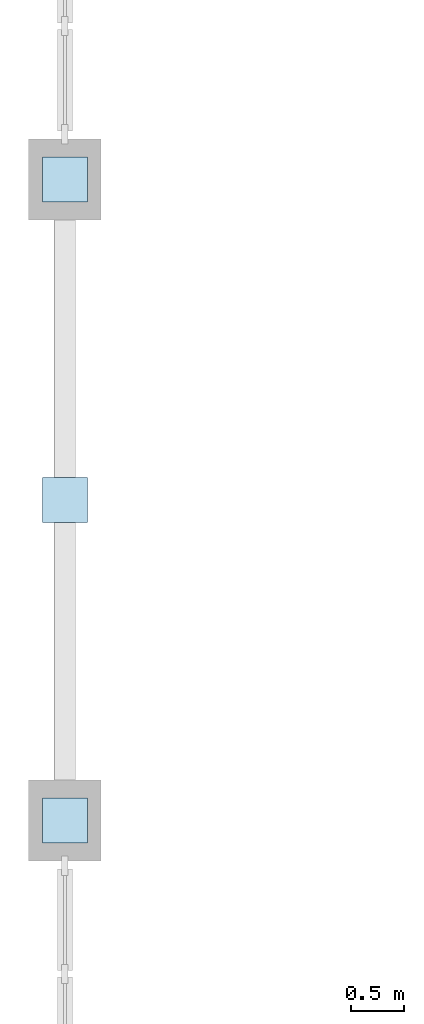
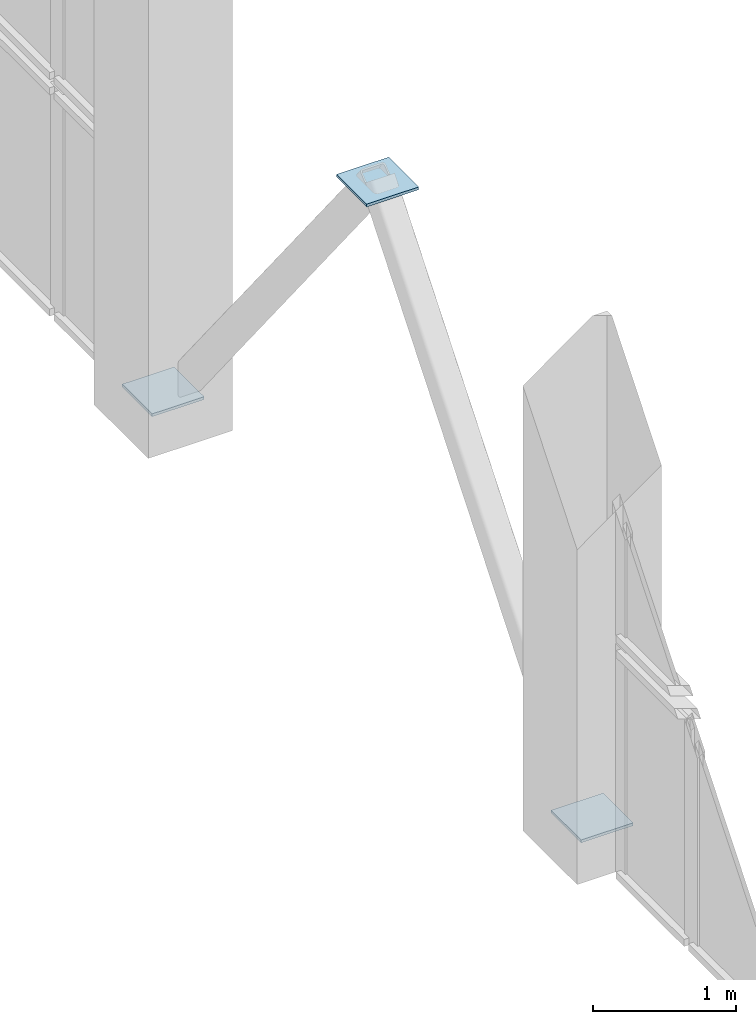
# One storey, part 61 of 85: 3 plates.
"""IFC4 building model written with IfcOpenShell, lengths in metres."""

from ifc_helpers import new_model, si_unit, direction, frame, origin, origin_2d, place, context, subcontext, project, spatial, rectangle, extrude, material, layer, layer_set, type_object, element, save


model = new_model("IFC4")

# Units and contexts
model_context = context("Model", 3, precision=1e-05, world=origin(), true_north=direction((0.0, 1.0)))
body_context = subcontext(model_context, "Body", "Model", "MODEL_VIEW")
ifc_project = project(units=[si_unit("LENGTHUNIT", "METRE"), si_unit("AREAUNIT", "SQUARE_METRE"), si_unit("VOLUMEUNIT", "CUBIC_METRE"), si_unit("PLANEANGLEUNIT", "RADIAN"), si_unit("MASSUNIT", "GRAM", prefix="KILO")], contexts=[model_context])

# Site, building, storey
site_placement = place(None, origin())
site = spatial("IfcSite", under=ifc_project, at=site_placement, CompositionType="ELEMENT")
building_placement = place(site_placement, origin())
building = spatial("IfcBuilding", under=site, at=building_placement, Name="Solvane Community Centre", CompositionType="ELEMENT")
storey_placement = place(building_placement, frame((0.0, 0.0, 5.39990234375)))
storey = spatial("IfcBuildingStorey", under=building, at=storey_placement, Name="L01", CompositionType="ELEMENT", Elevation=5.39990234375)

# Plates
ifc_material = material(Name="Steel ASTM A572 Grade 50", Category="steel")
ifc_layer = layer(ifc_material, 0.02392578125)
ifc_layer_set = layer_set([ifc_layer], Name="Steel ASTM A572 Grade 50")
plate_type = type_object("IfcPlateType", Name="Bracing Node Gusset Plate 420x420x24", PredefinedType="USERDEFINED", material=ifc_layer_set)
for number, where, z_axis, x_axis, name in (
    (1, (6.0, 57.0, 3.818115234375), (0.0, 0.0, 1.0), (1.0, 0.0, 0.0), "Gusset Plate PLT-L01-0109"),
    (2, (6.0, 54.0, 0.208251953125), (0.0, 0.0, 1.0), (1.0, 0.0, 0.0), "Gusset Plate PLT-L01-0110"),
    (3, (6.0, 60.0, 0.208251953125), (0.0, 0.0, 1.0), (1.0, 0.0, 0.0), "Gusset Plate PLT-L01-0111"),
):
    element("IfcPlate", number, at=place(storey_placement, frame(where, z_axis=z_axis, x_axis=x_axis)), inside=storey, type_object=plate_type, Name=name, ObjectType="GUSSET_PLATE", PredefinedType="USERDEFINED", context=body_context, shape_type="SweptSolid", body=[
        extrude(rectangle(XDim=0.419921875, YDim=0.419921875, at=origin_2d()), origin(), (0.0, 0.0, 1.0), 0.02392578125),
    ])

save(model, "model.ifc")
